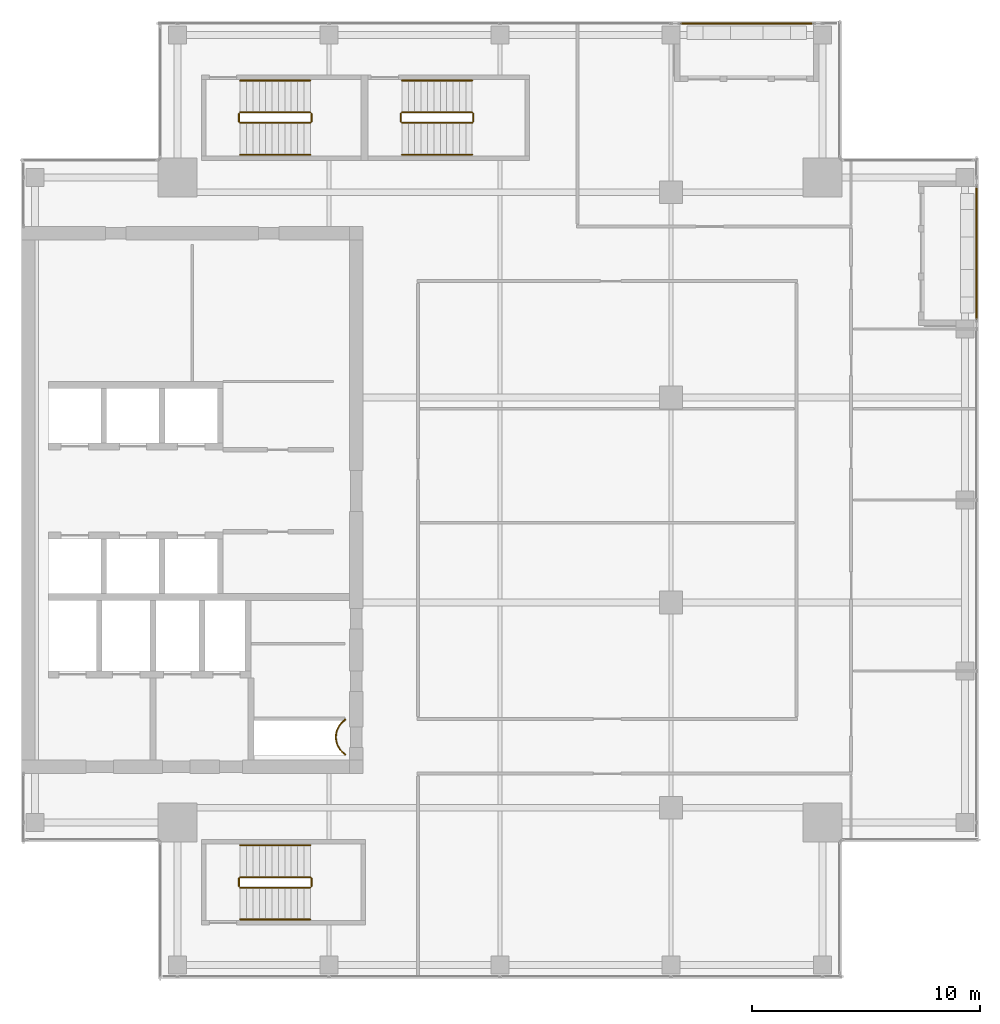
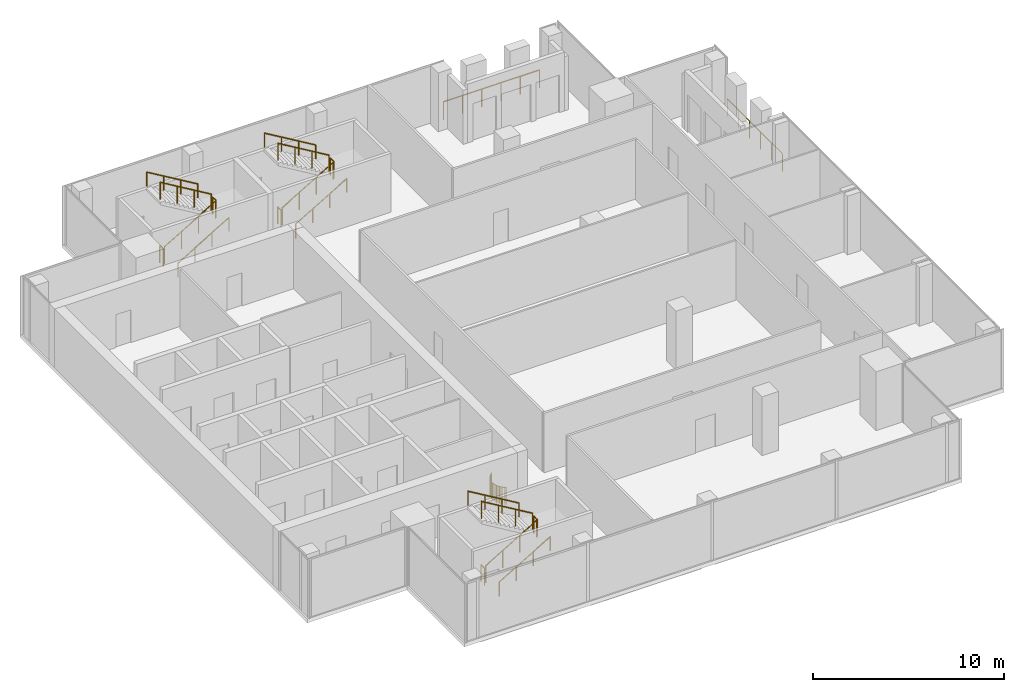
# One storey, part 28 of 29: 21 railings.
"""IFC4 building model written with IfcOpenShell, lengths in metres."""

from ifc_helpers import new_model, si_unit, direction, frame, origin, origin_2d, place, context, subcontext, project, spatial, circle, extrude, source, transform, mapped, material, type_object, element, save


model = new_model("IFC4")

# Units and contexts
model_context = context("Model", 3, precision=1e-05, world=origin(), true_north=direction((0.0, 1.0)))
body_context = subcontext(model_context, "Body", "Model", "MODEL_VIEW")
ifc_project = project(units=[si_unit("LENGTHUNIT", "METRE"), si_unit("AREAUNIT", "SQUARE_METRE"), si_unit("VOLUMEUNIT", "CUBIC_METRE"), si_unit("PLANEANGLEUNIT", "RADIAN"), si_unit("MASSUNIT", "GRAM", prefix="KILO")], contexts=[model_context])

# Site, building, storey
site_placement = place(None, origin())
site = spatial("IfcSite", under=ifc_project, at=site_placement, CompositionType="ELEMENT")
building_placement = place(site_placement, origin())
building = spatial("IfcBuilding", under=site, at=building_placement, Name="Khomas Fold Tower", CompositionType="ELEMENT")
storey_placement = place(building_placement, frame((0.0, 0.0, 310.199951171875)))
storey = spatial("IfcBuildingStorey", under=building, at=storey_placement, Name="L70", CompositionType="ELEMENT", Elevation=310.199951171875)

# Railings
ifc_material_1 = material(Name="Powder-coated steel", Category="steel")
railing_type_1 = type_object("IfcRailingType", Name="Balcony guard", PredefinedType="GUARDRAIL", material=ifc_material_1)
shared_shape_1 = source(origin(), body_context, "Body", "SweptSolid", [
    extrude(circle(Radius=0.02490234375, at=origin_2d()), frame((0.0, 0.0, 1.125), z_axis=(1.0, 0.0, 0.0), x_axis=(0.0, 1.0, 0.0)), (0.0, 0.0, 1.0), 5.7900390625),
    extrude(circle(Radius=0.02001953125, at=origin_2d()), origin(), (0.0, 0.0, 1.0), 1.099853515625),
    extrude(circle(Radius=0.02001953125, at=origin_2d()), frame((1.157958984375, 0.0, 0.0)), (0.0, 0.0, 1.0), 1.099853515625),
    extrude(circle(Radius=0.02001953125, at=origin_2d()), frame((2.31591796875, 0.0, 0.0)), (0.0, 0.0, 1.0), 1.099853515625),
    extrude(circle(Radius=0.02001953125, at=origin_2d()), frame((3.47412109375, 0.0, 0.0)), (0.0, 0.0, 1.0), 1.099853515625),
    extrude(circle(Radius=0.02001953125, at=origin_2d()), frame((4.632080078125, 0.0, 0.0)), (0.0, 0.0, 1.0), 1.099853515625),
    extrude(circle(Radius=0.02001953125, at=origin_2d()), frame((5.7900390625, 0.0, 0.0)), (0.0, 0.0, 1.0), 1.099853515625),
])
railing_1_placement = place(storey_placement, frame((34.929931640625, 47.89990234375, -0.044921875)))
element("IfcRailing", 1, at=railing_1_placement, inside=storey, type_object=railing_type_1, Name="Balcony guard BAL-L70-N4", PredefinedType="GUARDRAIL", context=body_context, shape_type="MappedRepresentation", body=[
    mapped(shared_shape_1, transform((0.0, 0.0, 0.0))),
])
shared_shape_2 = source(origin(), body_context, "Body", "SweptSolid", [
    extrude(circle(Radius=0.02490234375, at=origin_2d()), frame((0.0, 0.0, 1.125), z_axis=(0.0, 1.0, 0.0), x_axis=(-1.0, 0.0, 0.0)), (0.0, 0.0, 1.0), 5.7900390625),
    extrude(circle(Radius=0.02001953125, at=origin_2d()), origin(), (0.0, 0.0, 1.0), 1.099853515625),
    extrude(circle(Radius=0.02001953125, at=origin_2d()), frame((0.0, 1.157958984375, 0.0)), (0.0, 0.0, 1.0), 1.099853515625),
    extrude(circle(Radius=0.02001953125, at=origin_2d()), frame((0.0, 2.31591796875, 0.0)), (0.0, 0.0, 1.0), 1.099853515625),
    extrude(circle(Radius=0.02001953125, at=origin_2d()), frame((0.0, 3.47412109375, 0.0)), (0.0, 0.0, 1.0), 1.099853515625),
    extrude(circle(Radius=0.02001953125, at=origin_2d()), frame((0.0, 4.632080078125, 0.0)), (0.0, 0.0, 1.0), 1.099853515625),
    extrude(circle(Radius=0.02001953125, at=origin_2d()), frame((0.0, 5.7900390625, 0.0)), (0.0, 0.0, 1.0), 1.099853515625),
])
railing_2_placement = place(storey_placement, frame((47.89990234375, 34.929931640625, -0.044921875)))
element("IfcRailing", 2, at=railing_2_placement, inside=storey, type_object=railing_type_1, Name="Balcony guard BAL-L70-E4", PredefinedType="GUARDRAIL", context=body_context, shape_type="MappedRepresentation", body=[
    mapped(shared_shape_2, transform((0.0, 0.0, 0.0))),
])
ifc_material_2 = material(Name="Steel balustrade", Category="steel")
railing_type_2 = type_object("IfcRailingType", Name="Stair guard", PredefinedType="GUARDRAIL", material=ifc_material_2)
shared_shape_3 = source(origin(), body_context, "Body", "SweptSolid", [
    extrude(circle(Radius=0.02392578125, at=origin_2d()), frame((0.0, 0.0, 1.076171875), z_axis=(0.0, 1.0, 0.0), x_axis=(-1.0, 0.0, 0.0)), (0.0, 0.0, 1.0), 0.349853515625),
    extrude(circle(Radius=0.02099609375, at=origin_2d()), origin(), (0.0, 0.0, 1.0), 1.052001953125),
    extrude(circle(Radius=0.02099609375, at=origin_2d()), frame((0.0, 0.349853515625, 0.0)), (0.0, 0.0, 1.0), 1.052001953125),
])
for number, where, name in (
    (3, (18.72998046875, 43.60009765625, 2.0), "L70 ST1 stair guard 2"),
    (4, (15.550048828125, 43.60009765625, 0.0), "L70 ST1 stair guard 4"),
    (5, (18.72998046875, 10.050048828125, 2.0), "L70 ST2 stair guard 2"),
    (6, (15.550048828125, 10.050048828125, 0.0), "L70 ST2 stair guard 4"),
    (7, (25.830078125, 43.60009765625, 2.0), "L70 ST3 stair guard 2"),
    (8, (22.64990234375, 43.60009765625, 0.0), "L70 ST3 stair guard 4"),
):
    element("IfcRailing", number, at=place(storey_placement, frame(where)), inside=storey, type_object=railing_type_2, Name=name, PredefinedType="GUARDRAIL", context=body_context, shape_type="MappedRepresentation", body=[
        mapped(shared_shape_3, transform((0.0, 0.0, 0.0))),
    ])
shared_shape_4 = source(origin(), body_context, "Body", "SweptSolid", [
    extrude(circle(Radius=0.02392578125, at=origin_2d()), frame((0.0, 0.0, 1.076171875), z_axis=(0.859290745958, 0.0, 0.51148745235), x_axis=(0.0, 1.0, 0.0)), (0.0, 0.0, 1.0), 3.584228515625),
    extrude(circle(Radius=0.02099609375, at=origin_2d()), origin(), (0.0, 0.0, 1.0), 1.052001953125),
    extrude(circle(Radius=0.02099609375, at=origin_2d()), frame((1.026611328125, 0.0, 0.611083984375)), (0.0, 0.0, 1.0), 1.052001953125),
    extrude(circle(Radius=0.02099609375, at=origin_2d()), frame((2.05322265625, 0.0, 1.22216796875)), (0.0, 0.0, 1.0), 1.052001953125),
    extrude(circle(Radius=0.02099609375, at=origin_2d()), frame((3.079833984375, 0.0, 1.833251953125)), (0.0, 0.0, 1.0), 1.052001953125),
])
for number, where, name in (
    (9, (15.60009765625, 43.550048828125, 0.166748046875), "L70 ST1 stair guard 1"),
    (10, (15.60009765625, 10.0, 0.166748046875), "L70 ST2 stair guard 1"),
):
    element("IfcRailing", number, at=place(storey_placement, frame(where)), inside=storey, type_object=railing_type_2, Name=name, PredefinedType="GUARDRAIL", context=body_context, shape_type="MappedRepresentation", body=[
        mapped(shared_shape_4, transform((0.0, 0.0, 0.0))),
    ])
shared_shape_5 = source(origin(), body_context, "Body", "SweptSolid", [
    extrude(circle(Radius=0.02392578125, at=origin_2d()), frame((0.0, 0.0, 1.076171875), z_axis=(-0.859290745958, 0.0, 0.51148745235), x_axis=(0.0, -1.0, 0.0)), (0.0, 0.0, 1.0), 3.584228515625),
    extrude(circle(Radius=0.02099609375, at=origin_2d()), origin(), (0.0, 0.0, 1.0), 1.052001953125),
    extrude(circle(Radius=0.02099609375, at=origin_2d()), frame((-1.026611328125, 0.0, 0.611083984375)), (0.0, 0.0, 1.0), 1.052001953125),
    extrude(circle(Radius=0.02099609375, at=origin_2d()), frame((-2.05322265625, 0.0, 1.22216796875)), (0.0, 0.0, 1.0), 1.052001953125),
    extrude(circle(Radius=0.02099609375, at=origin_2d()), frame((-3.079833984375, 0.0, 1.833251953125)), (0.0, 0.0, 1.0), 1.052001953125),
])
for number, where, name in (
    (11, (18.679931640625, 44.0, 2.166748046875), "L70 ST1 stair guard 3"),
    (12, (18.679931640625, 10.449951171875, 2.166748046875), "L70 ST2 stair guard 3"),
):
    element("IfcRailing", number, at=place(storey_placement, frame(where)), inside=storey, type_object=railing_type_2, Name=name, PredefinedType="GUARDRAIL", context=body_context, shape_type="MappedRepresentation", body=[
        mapped(shared_shape_5, transform((0.0, 0.0, 0.0))),
    ])
ifc_material_3 = material(Name="Steel handrail", Category="steel")
railing_type_3 = type_object("IfcRailingType", Name="Stair handrail", PredefinedType="HANDRAIL", material=ifc_material_3)
shared_shape_6 = source(origin(), body_context, "Body", "SweptSolid", [
    extrude(circle(Radius=0.02392578125, at=origin_2d()), frame((0.0, 0.0, 0.8759765625), z_axis=(0.859290745958, 0.0, 0.51148745235), x_axis=(0.0, 1.0, 0.0)), (0.0, 0.0, 1.0), 3.584228515625),
    extrude(circle(Radius=0.02099609375, at=origin_2d()), origin(), (0.0, 0.0, 1.0), 0.851806640625),
    extrude(circle(Radius=0.02099609375, at=origin_2d()), frame((1.026611328125, 0.0, 0.611083984375)), (0.0, 0.0, 1.0), 0.851806640625),
    extrude(circle(Radius=0.02099609375, at=origin_2d()), frame((2.05322265625, 0.0, 1.22216796875)), (0.0, 0.0, 1.0), 0.851806640625),
    extrude(circle(Radius=0.02099609375, at=origin_2d()), frame((3.079833984375, 0.0, 1.833251953125)), (0.0, 0.0, 1.0), 0.851806640625),
])
for number, where, name in (
    (13, (15.60009765625, 42.14990234375, 0.166748046875), "L70 ST1 stair handrail 1"),
    (14, (15.60009765625, 8.60009765625, 0.166748046875), "L70 ST2 stair handrail 1"),
):
    element("IfcRailing", number, at=place(storey_placement, frame(where)), inside=storey, type_object=railing_type_3, Name=name, PredefinedType="HANDRAIL", context=body_context, shape_type="MappedRepresentation", body=[
        mapped(shared_shape_6, transform((0.0, 0.0, 0.0))),
    ])
shared_shape_7 = source(origin(), body_context, "Body", "SweptSolid", [
    extrude(circle(Radius=0.02392578125, at=origin_2d()), frame((0.0, 0.0, 0.8759765625), z_axis=(-0.859290745958, 0.0, 0.51148745235), x_axis=(0.0, -1.0, 0.0)), (0.0, 0.0, 1.0), 3.584228515625),
    extrude(circle(Radius=0.02099609375, at=origin_2d()), origin(), (0.0, 0.0, 1.0), 0.851806640625),
    extrude(circle(Radius=0.02099609375, at=origin_2d()), frame((-1.026611328125, 0.0, 0.611083984375)), (0.0, 0.0, 1.0), 0.851806640625),
    extrude(circle(Radius=0.02099609375, at=origin_2d()), frame((-2.05322265625, 0.0, 1.22216796875)), (0.0, 0.0, 1.0), 0.851806640625),
    extrude(circle(Radius=0.02099609375, at=origin_2d()), frame((-3.079833984375, 0.0, 1.833251953125)), (0.0, 0.0, 1.0), 0.851806640625),
])
for number, where, name in (
    (15, (18.679931640625, 45.39990234375, 2.166748046875), "L70 ST1 stair handrail 2"),
    (16, (18.679931640625, 11.85009765625, 2.166748046875), "L70 ST2 stair handrail 2"),
):
    element("IfcRailing", number, at=place(storey_placement, frame(where)), inside=storey, type_object=railing_type_3, Name=name, PredefinedType="HANDRAIL", context=body_context, shape_type="MappedRepresentation", body=[
        mapped(shared_shape_7, transform((0.0, 0.0, 0.0))),
    ])
shared_shape_8 = source(origin(), body_context, "Body", "SweptSolid", [
    extrude(circle(Radius=0.02392578125, at=origin_2d()), frame((0.0, 0.0, 1.076171875), z_axis=(0.859308565015, 0.0, 0.511457515432), x_axis=(0.0, 1.0, 0.0)), (0.0, 0.0, 1.0), 3.58447265625),
    extrude(circle(Radius=0.02099609375, at=origin_2d()), origin(), (0.0, 0.0, 1.0), 1.052001953125),
    extrude(circle(Radius=0.02099609375, at=origin_2d()), frame((1.026611328125, 0.0, 0.611083984375)), (0.0, 0.0, 1.0), 1.052001953125),
    extrude(circle(Radius=0.02099609375, at=origin_2d()), frame((2.053466796875, 0.0, 1.22216796875)), (0.0, 0.0, 1.0), 1.052001953125),
    extrude(circle(Radius=0.02099609375, at=origin_2d()), frame((3.080078125, 0.0, 1.833251953125)), (0.0, 0.0, 1.0), 1.052001953125),
])
railing_3_placement = place(storey_placement, frame((22.699951171875, 43.550048828125, 0.166748046875)))
element("IfcRailing", 17, at=railing_3_placement, inside=storey, type_object=railing_type_2, Name="L70 ST3 stair guard 1", PredefinedType="GUARDRAIL", context=body_context, shape_type="MappedRepresentation", body=[
    mapped(shared_shape_8, transform((0.0, 0.0, 0.0))),
])
shared_shape_9 = source(origin(), body_context, "Body", "SweptSolid", [
    extrude(circle(Radius=0.02392578125, at=origin_2d()), frame((0.0, 0.0, 1.076171875), z_axis=(-0.859308565015, 0.0, 0.511457515432), x_axis=(0.0, -1.0, 0.0)), (0.0, 0.0, 1.0), 3.58447265625),
    extrude(circle(Radius=0.02099609375, at=origin_2d()), origin(), (0.0, 0.0, 1.0), 1.052001953125),
    extrude(circle(Radius=0.02099609375, at=origin_2d()), frame((-1.026611328125, 0.0, 0.611083984375)), (0.0, 0.0, 1.0), 1.052001953125),
    extrude(circle(Radius=0.02099609375, at=origin_2d()), frame((-2.053466796875, 0.0, 1.22216796875)), (0.0, 0.0, 1.0), 1.052001953125),
    extrude(circle(Radius=0.02099609375, at=origin_2d()), frame((-3.080078125, 0.0, 1.833251953125)), (0.0, 0.0, 1.0), 1.052001953125),
])
railing_4_placement = place(storey_placement, frame((25.780029296875, 44.0, 2.166748046875)))
element("IfcRailing", 18, at=railing_4_placement, inside=storey, type_object=railing_type_2, Name="L70 ST3 stair guard 3", PredefinedType="GUARDRAIL", context=body_context, shape_type="MappedRepresentation", body=[
    mapped(shared_shape_9, transform((0.0, 0.0, 0.0))),
])
shared_shape_10 = source(origin(), body_context, "Body", "SweptSolid", [
    extrude(circle(Radius=0.02392578125, at=origin_2d()), frame((0.0, 0.0, 0.8759765625), z_axis=(0.859308565015, 0.0, 0.511457515432), x_axis=(0.0, 1.0, 0.0)), (0.0, 0.0, 1.0), 3.58447265625),
    extrude(circle(Radius=0.02099609375, at=origin_2d()), origin(), (0.0, 0.0, 1.0), 0.851806640625),
    extrude(circle(Radius=0.02099609375, at=origin_2d()), frame((1.026611328125, 0.0, 0.611083984375)), (0.0, 0.0, 1.0), 0.851806640625),
    extrude(circle(Radius=0.02099609375, at=origin_2d()), frame((2.053466796875, 0.0, 1.22216796875)), (0.0, 0.0, 1.0), 0.851806640625),
    extrude(circle(Radius=0.02099609375, at=origin_2d()), frame((3.080078125, 0.0, 1.833251953125)), (0.0, 0.0, 1.0), 0.851806640625),
])
railing_5_placement = place(storey_placement, frame((22.699951171875, 42.14990234375, 0.166748046875)))
element("IfcRailing", 19, at=railing_5_placement, inside=storey, type_object=railing_type_3, Name="L70 ST3 stair handrail 1", PredefinedType="HANDRAIL", context=body_context, shape_type="MappedRepresentation", body=[
    mapped(shared_shape_10, transform((0.0, 0.0, 0.0))),
])
shared_shape_11 = source(origin(), body_context, "Body", "SweptSolid", [
    extrude(circle(Radius=0.02392578125, at=origin_2d()), frame((0.0, 0.0, 0.8759765625), z_axis=(-0.859308565015, 0.0, 0.511457515432), x_axis=(0.0, -1.0, 0.0)), (0.0, 0.0, 1.0), 3.58447265625),
    extrude(circle(Radius=0.02099609375, at=origin_2d()), origin(), (0.0, 0.0, 1.0), 0.851806640625),
    extrude(circle(Radius=0.02099609375, at=origin_2d()), frame((-1.026611328125, 0.0, 0.611083984375)), (0.0, 0.0, 1.0), 0.851806640625),
    extrude(circle(Radius=0.02099609375, at=origin_2d()), frame((-2.053466796875, 0.0, 1.22216796875)), (0.0, 0.0, 1.0), 0.851806640625),
    extrude(circle(Radius=0.02099609375, at=origin_2d()), frame((-3.080078125, 0.0, 1.833251953125)), (0.0, 0.0, 1.0), 0.851806640625),
])
railing_6_placement = place(storey_placement, frame((25.780029296875, 45.39990234375, 2.166748046875)))
element("IfcRailing", 20, at=railing_6_placement, inside=storey, type_object=railing_type_3, Name="L70 ST3 stair handrail 2", PredefinedType="HANDRAIL", context=body_context, shape_type="MappedRepresentation", body=[
    mapped(shared_shape_11, transform((0.0, 0.0, 0.0))),
])
ifc_material_4 = material(Name="Steel balustrade", Category="steel")
railing_type_4 = type_object("IfcRailingType", Name="Shaft guard", PredefinedType="GUARDRAIL", material=ifc_material_4)
shared_shape_12 = source(origin(), body_context, "Body", "SweptSolid", [
    extrude(circle(Radius=0.02490234375, at=origin_2d()), frame((0.0, 0.0, 1.0751953125), z_axis=(0.0, -1.0, 0.0), x_axis=(1.0, 0.0, 0.0)), (0.0, 0.0, 1.0), 0.034912109375),
    extrude(circle(Radius=0.02490234375, at=origin_2d()), frame((0.0, -0.034912109375, 1.0751953125), z_axis=(-0.802970227885, -0.596019138224, 0.0), x_axis=(0.596019138224, -0.802970227885, 0.0)), (0.0, 0.0, 1.0), 0.08837890625),
    extrude(circle(Radius=0.02490234375, at=origin_2d()), frame((-0.071044921875, -0.087646484375, 1.0751953125), z_axis=(-0.739563952942, -0.673086294251, 0.0), x_axis=(0.673086294251, -0.739563952942, 0.0)), (0.0, 0.0, 1.0), 0.088134765625),
    extrude(circle(Radius=0.02490234375, at=origin_2d()), frame((-0.13623046875, -0.14697265625, 1.0751953125), z_axis=(-0.671709119666, -0.740814996175, 0.0), x_axis=(0.740814996175, -0.671709119666, 0.0)), (0.0, 0.0, 1.0), 0.08837890625),
    extrude(circle(Radius=0.02490234375, at=origin_2d()), frame((-0.195556640625, -0.21240234375, 1.0751953125), z_axis=(-0.597341843489, -0.801986734315, 0.0), x_axis=(0.801986734315, -0.597341843489, 0.0)), (0.0, 0.0, 1.0), 0.08837890625),
    extrude(circle(Radius=0.02490234375, at=origin_2d()), frame((-0.248291015625, -0.283203125, 1.0751953125), z_axis=(-0.514495755428, -0.857492925713, 0.0), x_axis=(0.857492925713, -0.514495755428, 0.0)), (0.0, 0.0, 1.0), 0.08837890625),
    extrude(circle(Radius=0.02490234375, at=origin_2d()), frame((-0.293701171875, -0.35888671875, 1.0751953125), z_axis=(-0.427256721383, -0.904130352346, 0.0), x_axis=(0.904130352346, -0.427256721383, 0.0)), (0.0, 0.0, 1.0), 0.088623046875),
    extrude(circle(Radius=0.02490234375, at=origin_2d()), frame((-0.33154296875, -0.43896484375, 1.0751953125), z_axis=(-0.335282981086, -0.942117467514, 0.0), x_axis=(0.942117467514, -0.335282981086, 0.0)), (0.0, 0.0, 1.0), 0.088134765625),
    extrude(circle(Radius=0.02490234375, at=origin_2d()), frame((-0.361083984375, -0.52197265625, 1.0751953125), z_axis=(-0.243185799972, -0.969979724887, 0.0), x_axis=(0.969979724887, -0.243185799972, 0.0)), (0.0, 0.0, 1.0), 0.08837890625),
    extrude(circle(Radius=0.02490234375, at=origin_2d()), frame((-0.382568359375, -0.607666015625, 1.0751953125), z_axis=(-0.149150785005, -0.988814463553, 0.0), x_axis=(0.988814463553, -0.149150785005, 0.0)), (0.0, 0.0, 1.0), 0.08837890625),
    extrude(circle(Radius=0.02490234375, at=origin_2d()), frame((-0.395751953125, -0.695068359375, 1.0751953125), z_axis=(-0.047039284441, -0.99889304018, 0.0), x_axis=(0.99889304018, -0.047039284441, 0.0)), (0.0, 0.0, 1.0), 0.088134765625),
    extrude(circle(Radius=0.02490234375, at=origin_2d()), frame((-0.39990234375, -0.783203125, 1.0751953125), z_axis=(0.046909628002, -0.998899137451, 0.0), x_axis=(0.998899137451, 0.046909628002, 0.0)), (0.0, 0.0, 1.0), 0.08837890625),
    extrude(circle(Radius=0.02490234375, at=origin_2d()), frame((-0.395751953125, -0.87158203125, 1.0751953125), z_axis=(0.149150785005, -0.988814463553, 0.0), x_axis=(0.988814463553, 0.149150785005, 0.0)), (0.0, 0.0, 1.0), 0.08837890625),
    extrude(circle(Radius=0.02490234375, at=origin_2d()), frame((-0.382568359375, -0.958984375, 1.0751953125), z_axis=(0.243185799972, -0.969979724887, 0.0), x_axis=(0.969979724887, 0.243185799972, 0.0)), (0.0, 0.0, 1.0), 0.08837890625),
    extrude(circle(Radius=0.02490234375, at=origin_2d()), frame((-0.361083984375, -1.044677734375, 1.0751953125), z_axis=(0.335282981086, -0.942117467514, 0.0), x_axis=(0.942117467514, 0.335282981086, 0.0)), (0.0, 0.0, 1.0), 0.088134765625),
    extrude(circle(Radius=0.02490234375, at=origin_2d()), frame((-0.33154296875, -1.127685546875, 1.0751953125), z_axis=(0.428323905606, -0.903625271828, 0.0), x_axis=(0.903625271828, 0.428323905606, 0.0)), (0.0, 0.0, 1.0), 0.08837890625),
    extrude(circle(Radius=0.02490234375, at=origin_2d()), frame((-0.293701171875, -1.20751953125, 1.0751953125), z_axis=(0.514495755428, -0.857492925713, 0.0), x_axis=(0.857492925713, 0.514495755428, 0.0)), (0.0, 0.0, 1.0), 0.08837890625),
    extrude(circle(Radius=0.02490234375, at=origin_2d()), frame((-0.248291015625, -1.283203125, 1.0751953125), z_axis=(0.596019138224, -0.802970227885, 0.0), x_axis=(0.802970227885, 0.596019138224, 0.0)), (0.0, 0.0, 1.0), 0.08837890625),
    extrude(circle(Radius=0.02490234375, at=origin_2d()), frame((-0.195556640625, -1.354248046875, 1.0751953125), z_axis=(0.671709119666, -0.740814996175, 0.0), x_axis=(0.740814996175, 0.671709119666, 0.0)), (0.0, 0.0, 1.0), 0.08837890625),
    extrude(circle(Radius=0.02490234375, at=origin_2d()), frame((-0.13623046875, -1.419677734375, 1.0751953125), z_axis=(0.739563952942, -0.673086294251, 0.0), x_axis=(0.673086294251, 0.739563952942, 0.0)), (0.0, 0.0, 1.0), 0.088134765625),
    extrude(circle(Radius=0.02490234375, at=origin_2d()), frame((-0.071044921875, -1.47900390625, 1.0751953125), z_axis=(0.804291006819, -0.594235623595, 0.0), x_axis=(0.594235623595, 0.804291006819, 0.0)), (0.0, 0.0, 1.0), 0.08837890625),
    extrude(circle(Radius=0.02490234375, at=origin_2d()), frame((0.0, -1.531494140625, 1.0751953125), z_axis=(0.0, -1.0, 0.0), x_axis=(1.0, 0.0, 0.0)), (0.0, 0.0, 1.0), 0.03515625),
    extrude(circle(Radius=0.02001953125, at=origin_2d()), origin(), (0.0, 0.0, 1.0), 1.050048828125),
    extrude(circle(Radius=0.02001953125, at=origin_2d()), frame((0.0, -0.034912109375, 0.0)), (0.0, 0.0, 1.0), 1.050048828125),
    extrude(circle(Radius=0.02001953125, at=origin_2d()), frame((-0.071044921875, -0.087646484375, 0.0)), (0.0, 0.0, 1.0), 1.050048828125),
    extrude(circle(Radius=0.02001953125, at=origin_2d()), frame((-0.13623046875, -0.14697265625, 0.0)), (0.0, 0.0, 1.0), 1.050048828125),
    extrude(circle(Radius=0.02001953125, at=origin_2d()), frame((-0.195556640625, -0.21240234375, 0.0)), (0.0, 0.0, 1.0), 1.050048828125),
    extrude(circle(Radius=0.02001953125, at=origin_2d()), frame((-0.248291015625, -0.283203125, 0.0)), (0.0, 0.0, 1.0), 1.050048828125),
    extrude(circle(Radius=0.02001953125, at=origin_2d()), frame((-0.293701171875, -0.35888671875, 0.0)), (0.0, 0.0, 1.0), 1.050048828125),
    extrude(circle(Radius=0.02001953125, at=origin_2d()), frame((-0.33154296875, -0.43896484375, 0.0)), (0.0, 0.0, 1.0), 1.050048828125),
    extrude(circle(Radius=0.02001953125, at=origin_2d()), frame((-0.361083984375, -0.52197265625, 0.0)), (0.0, 0.0, 1.0), 1.050048828125),
    extrude(circle(Radius=0.02001953125, at=origin_2d()), frame((-0.382568359375, -0.607666015625, 0.0)), (0.0, 0.0, 1.0), 1.050048828125),
    extrude(circle(Radius=0.02001953125, at=origin_2d()), frame((-0.395751953125, -0.695068359375, 0.0)), (0.0, 0.0, 1.0), 1.050048828125),
    extrude(circle(Radius=0.02001953125, at=origin_2d()), frame((-0.39990234375, -0.783203125, 0.0)), (0.0, 0.0, 1.0), 1.050048828125),
    extrude(circle(Radius=0.02001953125, at=origin_2d()), frame((-0.395751953125, -0.87158203125, 0.0)), (0.0, 0.0, 1.0), 1.050048828125),
    extrude(circle(Radius=0.02001953125, at=origin_2d()), frame((-0.382568359375, -0.958984375, 0.0)), (0.0, 0.0, 1.0), 1.050048828125),
    extrude(circle(Radius=0.02001953125, at=origin_2d()), frame((-0.361083984375, -1.044677734375, 0.0)), (0.0, 0.0, 1.0), 1.050048828125),
    extrude(circle(Radius=0.02001953125, at=origin_2d()), frame((-0.33154296875, -1.127685546875, 0.0)), (0.0, 0.0, 1.0), 1.050048828125),
    extrude(circle(Radius=0.02001953125, at=origin_2d()), frame((-0.293701171875, -1.20751953125, 0.0)), (0.0, 0.0, 1.0), 1.050048828125),
    extrude(circle(Radius=0.02001953125, at=origin_2d()), frame((-0.248291015625, -1.283203125, 0.0)), (0.0, 0.0, 1.0), 1.050048828125),
    extrude(circle(Radius=0.02001953125, at=origin_2d()), frame((-0.195556640625, -1.354248046875, 0.0)), (0.0, 0.0, 1.0), 1.050048828125),
    extrude(circle(Radius=0.02001953125, at=origin_2d()), frame((-0.13623046875, -1.419677734375, 0.0)), (0.0, 0.0, 1.0), 1.050048828125),
    extrude(circle(Radius=0.02001953125, at=origin_2d()), frame((-0.071044921875, -1.47900390625, 0.0)), (0.0, 0.0, 1.0), 1.050048828125),
    extrude(circle(Radius=0.02001953125, at=origin_2d()), frame((0.0, -1.531494140625, 0.0)), (0.0, 0.0, 1.0), 1.050048828125),
    extrude(circle(Radius=0.02001953125, at=origin_2d()), frame((0.0, -1.566650390625, 0.0)), (0.0, 0.0, 1.0), 1.050048828125),
])
railing_7_placement = place(storey_placement, frame((20.199951171875, 17.38330078125, 0.0)))
element("IfcRailing", 21, at=railing_7_placement, inside=storey, type_object=railing_type_4, Name="Shaft guard L70 1", PredefinedType="GUARDRAIL", context=body_context, shape_type="MappedRepresentation", body=[
    mapped(shared_shape_12, transform((0.0, 0.0, 0.0))),
])

save(model, "model.ifc")
